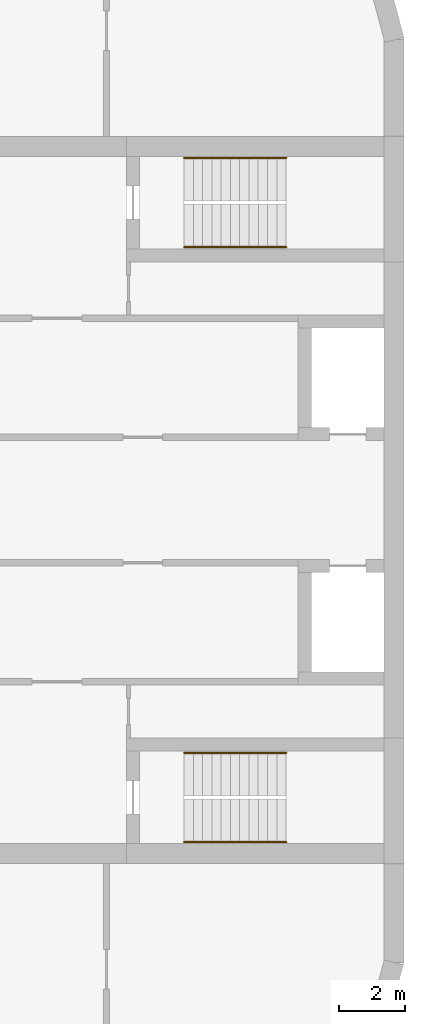
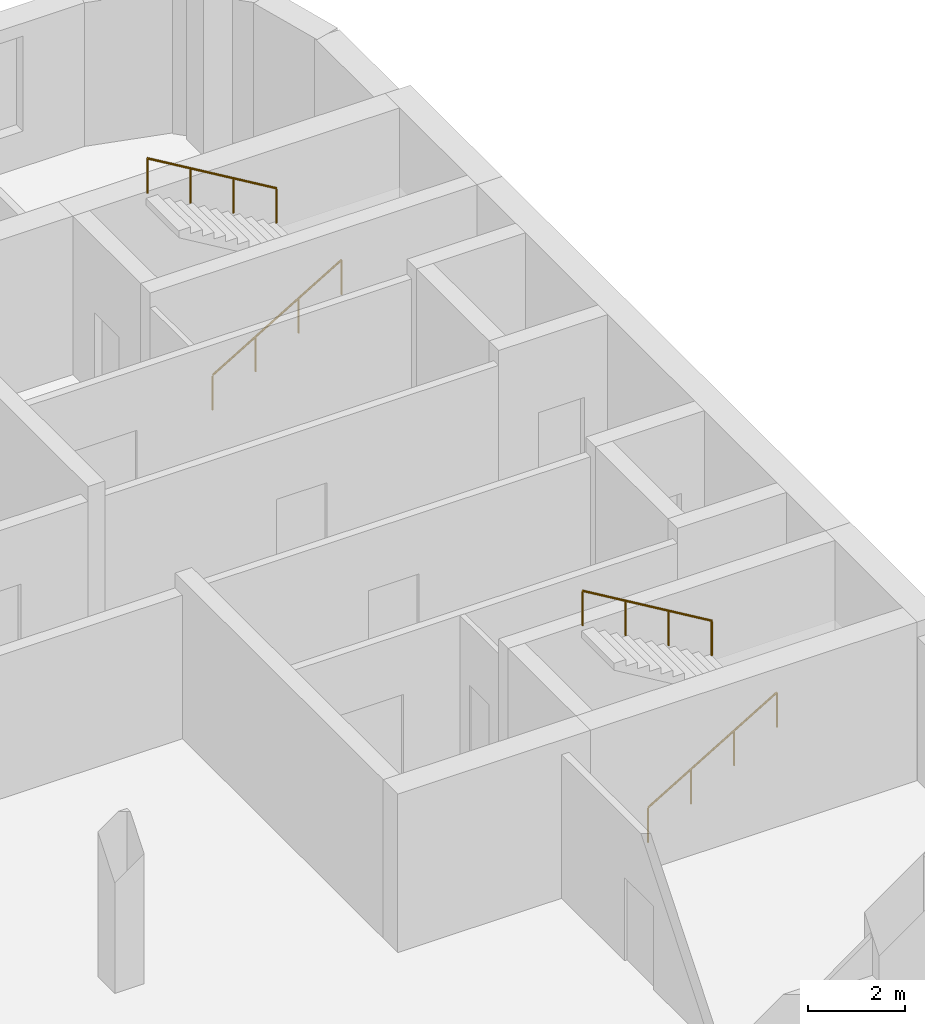
# One storey, part 12 of 12: 4 railings.
"""IFC4 building model written with IfcOpenShell, lengths in metres."""

from ifc_helpers import new_model, si_unit, direction, frame, origin, origin_2d, place, context, subcontext, project, spatial, circle, extrude, material, type_object, element, save


model = new_model("IFC4")

# Units and contexts
model_context = context("Model", 3, precision=1e-05, world=origin(), true_north=direction((0.0, 1.0)))
body_context = subcontext(model_context, "Body", "Model", "MODEL_VIEW")
ifc_project = project(units=[si_unit("LENGTHUNIT", "METRE"), si_unit("AREAUNIT", "SQUARE_METRE"), si_unit("VOLUMEUNIT", "CUBIC_METRE"), si_unit("PLANEANGLEUNIT", "RADIAN"), si_unit("MASSUNIT", "GRAM", prefix="KILO")], contexts=[model_context])

# Site, building, storey
site_placement = place(None, origin())
site = spatial("IfcSite", under=ifc_project, at=site_placement, CompositionType="ELEMENT")
building_placement = place(site_placement, origin())
building = spatial("IfcBuilding", under=site, at=building_placement, Name="Skarvind Civic Tower", CompositionType="ELEMENT")
storey_placement = place(building_placement, frame((0.0, 0.0, 85.0)))
storey = spatial("IfcBuildingStorey", under=building, at=storey_placement, Name="L19", CompositionType="ELEMENT", Elevation=85.0)

# Railings
ifc_material = material(Name="Painted steel handrail", Category="steel")
railing_type = type_object("IfcRailingType", Name="Stair handrail 900", PredefinedType="HANDRAIL", material=ifc_material)
railing_1_placement = place(storey_placement, frame((160.35009765625, 135.64990234375, 0.166748046875)))
element("IfcRailing", 1, at=railing_1_placement, inside=storey, type_object=railing_type, Name="Stair handrail", PredefinedType="HANDRAIL", context=body_context, shape_type="SweptSolid", body=[
    extrude(circle(Radius=0.02392578125, at=origin_2d()), frame((0.0, 0.0, 0.8759765625), z_axis=(0.859290745958, 0.0, 0.51148745235), x_axis=(0.0, 1.0, 0.0)), (0.0, 0.0, 1.0), 3.584228515625),
    extrude(circle(Radius=0.02099609375, at=origin_2d()), origin(), (0.0, 0.0, 1.0), 0.851806640625),
    extrude(circle(Radius=0.02099609375, at=origin_2d()), frame((1.026611328125, 0.0, 0.611083984375)), (0.0, 0.0, 1.0), 0.851806640625),
    extrude(circle(Radius=0.02099609375, at=origin_2d()), frame((2.05322265625, 0.0, 1.22216796875)), (0.0, 0.0, 1.0), 0.851806640625),
    extrude(circle(Radius=0.02099609375, at=origin_2d()), frame((3.079833984375, 0.0, 1.833251953125)), (0.0, 0.0, 1.0), 0.851806640625),
])
railing_2_placement = place(storey_placement, frame((163.429931640625, 138.35009765625, 2.166748046875)))
element("IfcRailing", 2, at=railing_2_placement, inside=storey, type_object=railing_type, Name="Stair handrail", PredefinedType="HANDRAIL", context=body_context, shape_type="SweptSolid", body=[
    extrude(circle(Radius=0.02392578125, at=origin_2d()), frame((0.0, 0.0, 0.8759765625), z_axis=(-0.859290745958, 0.0, 0.51148745235), x_axis=(0.0, -1.0, 0.0)), (0.0, 0.0, 1.0), 3.584228515625),
    extrude(circle(Radius=0.02099609375, at=origin_2d()), origin(), (0.0, 0.0, 1.0), 0.851806640625),
    extrude(circle(Radius=0.02099609375, at=origin_2d()), frame((-1.026611328125, 0.0, 0.611083984375)), (0.0, 0.0, 1.0), 0.851806640625),
    extrude(circle(Radius=0.02099609375, at=origin_2d()), frame((-2.05322265625, 0.0, 1.22216796875)), (0.0, 0.0, 1.0), 0.851806640625),
    extrude(circle(Radius=0.02099609375, at=origin_2d()), frame((-3.079833984375, 0.0, 1.833251953125)), (0.0, 0.0, 1.0), 0.851806640625),
])
railing_3_placement = place(storey_placement, frame((160.35009765625, 117.64990234375, 0.166748046875)))
element("IfcRailing", 3, at=railing_3_placement, inside=storey, type_object=railing_type, Name="Stair handrail", PredefinedType="HANDRAIL", context=body_context, shape_type="SweptSolid", body=[
    extrude(circle(Radius=0.02392578125, at=origin_2d()), frame((0.0, 0.0, 0.8759765625), z_axis=(0.859290745958, 0.0, 0.51148745235), x_axis=(0.0, 1.0, 0.0)), (0.0, 0.0, 1.0), 3.584228515625),
    extrude(circle(Radius=0.02099609375, at=origin_2d()), origin(), (0.0, 0.0, 1.0), 0.851806640625),
    extrude(circle(Radius=0.02099609375, at=origin_2d()), frame((1.026611328125, 0.0, 0.611083984375)), (0.0, 0.0, 1.0), 0.851806640625),
    extrude(circle(Radius=0.02099609375, at=origin_2d()), frame((2.05322265625, 0.0, 1.22216796875)), (0.0, 0.0, 1.0), 0.851806640625),
    extrude(circle(Radius=0.02099609375, at=origin_2d()), frame((3.079833984375, 0.0, 1.833251953125)), (0.0, 0.0, 1.0), 0.851806640625),
])
railing_4_placement = place(storey_placement, frame((163.429931640625, 120.35009765625, 2.166748046875)))
element("IfcRailing", 4, at=railing_4_placement, inside=storey, type_object=railing_type, Name="Stair handrail", PredefinedType="HANDRAIL", context=body_context, shape_type="SweptSolid", body=[
    extrude(circle(Radius=0.02392578125, at=origin_2d()), frame((0.0, 0.0, 0.8759765625), z_axis=(-0.859290745958, 0.0, 0.51148745235), x_axis=(0.0, -1.0, 0.0)), (0.0, 0.0, 1.0), 3.584228515625),
    extrude(circle(Radius=0.02099609375, at=origin_2d()), origin(), (0.0, 0.0, 1.0), 0.851806640625),
    extrude(circle(Radius=0.02099609375, at=origin_2d()), frame((-1.026611328125, 0.0, 0.611083984375)), (0.0, 0.0, 1.0), 0.851806640625),
    extrude(circle(Radius=0.02099609375, at=origin_2d()), frame((-2.05322265625, 0.0, 1.22216796875)), (0.0, 0.0, 1.0), 0.851806640625),
    extrude(circle(Radius=0.02099609375, at=origin_2d()), frame((-3.079833984375, 0.0, 1.833251953125)), (0.0, 0.0, 1.0), 0.851806640625),
])

save(model, "model.ifc")
